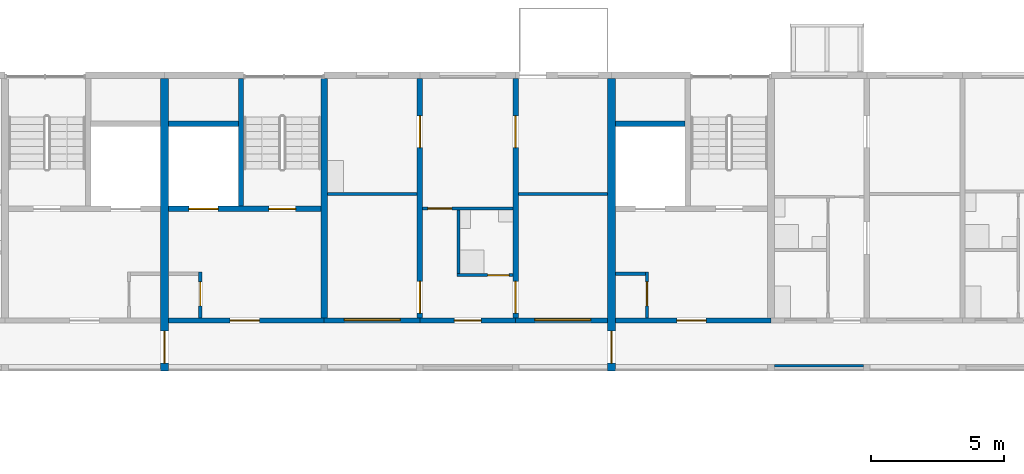
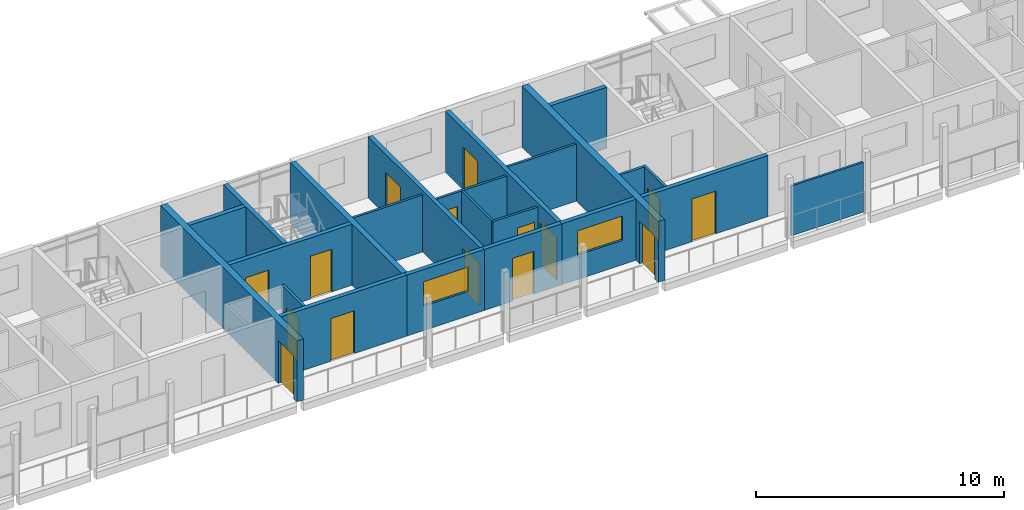
# One storey, part 36 of 98: 23 walls, 15 doors, 2 windows, 17 openings.
"""IFC4 building model written with IfcOpenShell, lengths in metres."""

import ifcopenshell
import ifcopenshell.guid

model = None  # the IFC model being written
_history = None  # IfcOwnerHistory: only IFC2X3 demands one
_inside = {}  # id of a spatial element -> (the spatial element, [elements in it])
_under = {}  # id of a project, library or spatial element -> (it, [spatial elements below it])
_declared = {}  # id of a project -> (the project, [libraries it declares])
_typed = {}  # id of a type object -> (the type object, [elements of that type])
_made_of = {}  # id of a material, layer set ... -> (it, [elements and type objects made of it])


def new_model(schema):
    """Start an empty IFC model of exactly this schema.

    Asked for "IFC4X3", IfcOpenShell would pick the latest addendum, in which some entities
    have other attributes; the version numbers below select the first issue.
    IFC2X3 requires an IfcOwnerHistory on every rooted entity: one is made here for all.
    """
    global model, _history
    if schema == "IFC4X3":
        model = ifcopenshell.file(schema_version=(4, 3, 0, 0))
    else:
        model = ifcopenshell.file(schema=schema)
    _inside.clear()
    _under.clear()
    _declared.clear()
    _typed.clear()
    _made_of.clear()
    _history = None
    if model.schema == "IFC2X3":
        org = make("IfcOrganization", Name="unknown")
        user = make(
            "IfcPersonAndOrganization",
            ThePerson=make("IfcPerson", FamilyName="unknown"),
            TheOrganization=org,
        )
        app = make(
            "IfcApplication",
            ApplicationDeveloper=org,
            Version="unknown",
            ApplicationFullName="unknown",
            ApplicationIdentifier="unknown",
        )
        _history = make(
            "IfcOwnerHistory",
            OwningUser=user,
            OwningApplication=app,
            ChangeAction="ADDED",
            CreationDate=0,
        )
    return model


def make(cls, **values):
    """One entity of the class cls with the attributes given. An attribute that is None is left unset."""
    return model.create_entity(
        cls, **{name: value for name, value in values.items() if value is not None}
    )


def rooted(cls, **values):
    """An entity with a GlobalId (a new one), such as an element, a storey or a relation."""
    return make(cls, GlobalId=ifcopenshell.guid.new(), OwnerHistory=_history, **values)


def si_unit(unit_type, name, prefix=None):
    """IfcSIUnit, for example si_unit("LENGTHUNIT", "METRE", prefix="MILLI")."""
    return make("IfcSIUnit", UnitType=unit_type, Prefix=prefix, Name=name)


def assignment(units):
    """IfcUnitAssignment: the units of a project."""
    return None if units is None else make("IfcUnitAssignment", Units=units)


def point(xyz):
    """IfcCartesianPoint."""
    return None if xyz is None else make("IfcCartesianPoint", Coordinates=xyz)


def direction(xyz):
    """IfcDirection."""
    return None if xyz is None else make("IfcDirection", DirectionRatios=xyz)


def frame(location, z_axis=None, x_axis=None):
    """IfcAxis2Placement3D, a coordinate frame: its origin and axes. An axis left out is left unset."""
    return make(
        "IfcAxis2Placement3D",
        Location=point(location),
        Axis=direction(z_axis),
        RefDirection=direction(x_axis),
    )


def frame_2d(location, x_axis=None):
    """IfcAxis2Placement2D, a coordinate frame in the plane: its origin and x axis."""
    return make(
        "IfcAxis2Placement2D", Location=point(location), RefDirection=direction(x_axis)
    )


def origin():
    """The frame at (0, 0, 0) with its axes left unset."""
    return frame((0.0, 0.0, 0.0))


def place(relative_to, where):
    """IfcLocalPlacement: puts the frame where relative to a parent placement (None: the world)."""
    return make(
        "IfcLocalPlacement", PlacementRelTo=relative_to, RelativePlacement=where
    )


def context(
    kind, dimensions, precision=None, world=None, true_north=None, identifier=None
):
    """IfcGeometricRepresentationContext, for example the 3D "Model" context."""
    return make(
        "IfcGeometricRepresentationContext",
        ContextIdentifier=identifier,
        ContextType=kind,
        CoordinateSpaceDimension=dimensions,
        Precision=precision,
        WorldCoordinateSystem=world,
        TrueNorth=true_north,
    )


def subcontext(parent, identifier, kind, view, scale=None):
    """IfcGeometricRepresentationSubContext, for example "Body" below "Model"."""
    return make(
        "IfcGeometricRepresentationSubContext",
        ContextIdentifier=identifier,
        ContextType=kind,
        ParentContext=parent,
        TargetScale=scale,
        TargetView=view,
    )


def project(units=None, contexts=None):
    """IfcProject with its units and contexts."""
    return rooted(
        "IfcProject",
        Name="project",
        RepresentationContexts=contexts,
        UnitsInContext=assignment(units),
    )


def spatial(cls, under=None, at=None, **own):
    """A site, building, storey or space (cls), placed at a placement, below another one or the project."""
    s = rooted(cls, ObjectPlacement=at, **own)
    if under is not None:
        _under.setdefault(under.id(), (under, []))[1].append(s)
    return s


def profile(cls, at=None, kind="AREA", **sizes):
    """A parametric profile (cls). Its sizes go by their IFC names, for example OverallWidth=200.0."""
    return make(cls, ProfileType=kind, Position=at, **sizes)


def rectangle(**sizes):
    """IfcRectangleProfileDef."""
    return profile("IfcRectangleProfileDef", **sizes)


def extrude(swept, where, along, depth):
    """IfcExtrudedAreaSolid: the profile swept, set in the frame where, extruded along a direction by depth."""
    return make(
        "IfcExtrudedAreaSolid",
        SweptArea=swept,
        Position=where,
        ExtrudedDirection=direction(along),
        Depth=depth,
    )


def shape(context_of_items, identifier, shape_type, items):
    """IfcShapeRepresentation: the items that make up one representation, for example the "Body"."""
    return make(
        "IfcShapeRepresentation",
        ContextOfItems=context_of_items,
        RepresentationIdentifier=identifier,
        RepresentationType=shape_type,
        Items=items,
    )


def material(Name=None, Category=None):
    """IfcMaterial."""
    return make("IfcMaterial", Name=Name, Category=Category)


def layer(
    of_material, thickness, ventilated=None, Name=None, Category=None, Priority=None
):
    """IfcMaterialLayer: one layer of a wall or slab, of a material (None: an air gap)."""
    return make(
        "IfcMaterialLayer",
        Material=of_material,
        LayerThickness=thickness,
        IsVentilated=ventilated,
        Name=Name,
        Category=Category,
        Priority=Priority,
    )


def layer_set(layers, Name=None):
    """IfcMaterialLayerSet."""
    return make("IfcMaterialLayerSet", MaterialLayers=layers, LayerSetName=Name)


def made_of(thing, what):
    """Note that an element or type object is made of a material, layer set ...; save() writes the relation."""
    if what is not None:
        _made_of.setdefault(what.id(), (what, []))[1].append(thing)
    return thing


def type_object(cls, material=None, **own):
    """A type object (cls), such as IfcWallType, which elements share."""
    return made_of(rooted(cls, **own), material)


def element(
    cls,
    number,
    at=None,
    inside=None,
    cuts=None,
    type_object=None,
    material=None,
    context=None,
    identifier="Body",
    shape_type=None,
    held_by="IfcProductDefinitionShape",
    body=None,
    shapes=None,
    **own,
):
    """One element of the class cls, such as IfcWall. Its Tag is "e" and its number.

    at: its placement. inside: the storey or other place that contains it. cuts: it is an
    opening in that element (IfcRelVoidsElement). A single representation is given by context,
    identifier, shape_type and body (its items); several are given by shapes. held_by: the class
    of the entity that holds the representations. save() writes the other relations.
    """
    e = rooted(cls, Tag="e%d" % number, ObjectPlacement=at, **own)
    if body is not None:
        shapes = [shape(context, identifier, shape_type, body)]
    if shapes is not None:
        e.Representation = make(held_by, Representations=shapes)
    if inside is not None:
        _inside.setdefault(inside.id(), (inside, []))[1].append(e)
    if cuts is not None:
        rooted(
            "IfcRelVoidsElement", RelatingBuildingElement=cuts, RelatedOpeningElement=e
        )
    if type_object is not None:
        _typed.setdefault(type_object.id(), (type_object, []))[1].append(e)
    return made_of(e, material)


def fill(opening, filler):
    """IfcRelFillsElement: the door or window that sits in an opening."""
    return rooted(
        "IfcRelFillsElement",
        RelatingOpeningElement=opening,
        RelatedBuildingElement=filler,
    )


def aggregate(whole, parts):
    """IfcRelAggregates: a whole, such as a stair, and the parts it consists of."""
    return rooted("IfcRelAggregates", RelatingObject=whole, RelatedObjects=parts)


def save(model, path):
    """Write the relations noted so far, then the file.

    IfcRelAggregates (storeys below a building ...), IfcRelContainedInSpatialStructure (elements
    in a storey), IfcRelDefinesByType, IfcRelAssociatesMaterial and IfcRelDeclares: one each for
    every whole, place, type object, material and project.
    """
    for whole, parts in _under.values():
        aggregate(whole, parts)
    for where, things in _inside.values():
        rooted(
            "IfcRelContainedInSpatialStructure",
            RelatedElements=things,
            RelatingStructure=where,
        )
    for kind, things in _typed.values():
        rooted("IfcRelDefinesByType", RelatedObjects=things, RelatingType=kind)
    for what, things in _made_of.values():
        rooted("IfcRelAssociatesMaterial", RelatedObjects=things, RelatingMaterial=what)
    for by, libraries in _declared.values():
        rooted("IfcRelDeclares", RelatingContext=by, RelatedDefinitions=libraries)
    model.write(path)


model = new_model("IFC4")

# Units and contexts
model_context = context("Model", 3, precision=1e-05, world=origin(), true_north=direction((0.0, 1.0)))
body_context = subcontext(model_context, "Body", "Model", "MODEL_VIEW")
ifc_project = project(units=[si_unit("LENGTHUNIT", "METRE"), si_unit("AREAUNIT", "SQUARE_METRE"), si_unit("VOLUMEUNIT", "CUBIC_METRE"), si_unit("PLANEANGLEUNIT", "RADIAN"), si_unit("MASSUNIT", "GRAM", prefix="KILO")], contexts=[model_context])

# Site, building, storey
site_placement = place(None, origin())
site = spatial("IfcSite", under=ifc_project, at=site_placement, CompositionType="ELEMENT")
building_placement = place(site_placement, origin())
building = spatial("IfcBuilding", under=site, at=building_placement, Name="Ridgestep Commons", CompositionType="ELEMENT")
storey_placement = place(building_placement, frame((0.0, 0.0, 12.0)))
storey = spatial("IfcBuildingStorey", under=building, at=storey_placement, Name="L04", CompositionType="ELEMENT", Elevation=12.0)

# Wall
ifc_material_1 = material(Name="Concrete C30/37", Category="concrete")
ifc_layer_1 = layer(ifc_material_1, 0.25)
ifc_layer_set_1 = layer_set([ifc_layer_1], Name="Core cross wall 250")
wall_type_1 = type_object("IfcWallType", Name="Core cross wall 250", PredefinedType="SHEAR", material=ifc_layer_set_1)
wall_1_placement = place(storey_placement, frame((34.800048828125, 68.0, 0.0), z_axis=(0.0, 0.0, 1.0), x_axis=(0.0, 1.0, 0.0)))
element("IfcWall", 1, at=wall_1_placement, inside=storey, type_object=wall_type_1, Name="Cross wall B-04-0348", PredefinedType="SHEAR", context=body_context, shape_type="SweptSolid", body=[
    extrude(rectangle(XDim=9.0, YDim=0.25, at=frame_2d((4.5, 0.0))), origin(), (0.0, 0.0, 1.0), 3.0),
])

# Wall, opening, door
ifc_material_2 = material(Name="Concrete C30/37", Category="concrete")
ifc_layer_2 = layer(ifc_material_2, 0.199951171875)
ifc_layer_set_2 = layer_set([ifc_layer_2], Name="Core south wall 200")
wall_type_2 = type_object("IfcWallType", Name="Core south wall 200", PredefinedType="SHEAR", material=ifc_layer_set_2)
wall_2_placement = place(storey_placement, frame((28.949951171875, 67.89990234375, 0.0), z_axis=(0.0, 0.0, 1.0), x_axis=(1.0, 0.0, 0.0)))
wall_2 = element("IfcWall", 2, at=wall_2_placement, inside=storey, type_object=wall_type_2, Name="Core south wall B2C L04", PredefinedType="SHEAR", context=body_context, shape_type="SweptSolid", body=[
    extrude(rectangle(XDim=5.85009765625, YDim=0.199951171875, at=frame_2d((2.925048828125, 0.0))), origin(), (0.0, 0.0, 1.0), 3.0),
])
opening_1_placement = place(wall_2_placement, frame((2.3125, 0.0, 0.0)))
opening_1 = element("IfcOpeningElement", 3, at=opening_1_placement, cuts=wall_2, Name="Opening B2C/04/1", PredefinedType="OPENING", context=body_context, shape_type="SweptSolid", body=[
    extrude(rectangle(XDim=1.10009765625, YDim=2.10009765625, at=frame_2d((0.550048828125, 1.050048828125))), frame((0.0, 0.10986328125, 0.0), z_axis=(0.0, -1.0, 0.0), x_axis=(1.0, 0.0, 0.0)), (0.0, 0.0, 1.0), 0.219970703125),
])
ifc_material_3 = material(Name="Steel fire door", Category="steel")
door_type_1 = type_object("IfcDoorType", Name="Lobby door 1100 x 2100 FD60", OperationType="NOTDEFINED", PredefinedType="DOOR", material=ifc_material_3)
door_1_placement = place(opening_1_placement, origin())
door_1 = element("IfcDoor", 4, at=door_1_placement, inside=storey, type_object=door_type_1, Name="Lobby door B2C/04/1", OperationType="SINGLE_SWING_LEFT", OverallHeight=2.10009765625, OverallWidth=1.10009765625, PredefinedType="DOOR", context=body_context, shape_type="SweptSolid", body=[
    extrude(rectangle(XDim=1.10009765625, YDim=2.10009765625, at=frame_2d((0.550048828125, 1.050048828125))), frame((0.0, 0.02490234375, 0.0), z_axis=(0.0, -1.0, 0.0), x_axis=(1.0, 0.0, 0.0)), (0.0, 0.0, 1.0), 0.050048828125),
])
fill(opening_1, door_1)

wall_3_placement = place(storey_placement, frame((45.75, 67.89990234375, 0.0), z_axis=(0.0, 0.0, 1.0), x_axis=(1.0, 0.0, 0.0)))
wall_3 = element("IfcWall", 5, at=wall_3_placement, inside=storey, type_object=wall_type_2, Name="Core south wall B3C L04", PredefinedType="SHEAR", context=body_context, shape_type="SweptSolid", body=[
    extrude(rectangle(XDim=5.85009765625, YDim=0.199951171875, at=frame_2d((2.925048828125, 0.0))), origin(), (0.0, 0.0, 1.0), 3.0),
])
opening_2_placement = place(wall_3_placement, frame((2.3125, 0.0, 0.0)))
opening_2 = element("IfcOpeningElement", 6, at=opening_2_placement, cuts=wall_3, Name="Opening B3C/04/1", PredefinedType="OPENING", context=body_context, shape_type="SweptSolid", body=[
    extrude(rectangle(XDim=1.10009765625, YDim=2.10009765625, at=frame_2d((0.550048828125, 1.050048828125))), frame((0.0, 0.10986328125, 0.0), z_axis=(0.0, -1.0, 0.0), x_axis=(1.0, 0.0, 0.0)), (0.0, 0.0, 1.0), 0.219970703125),
])
door_2_placement = place(opening_2_placement, origin())
door_2 = element("IfcDoor", 7, at=door_2_placement, inside=storey, type_object=door_type_1, Name="Lobby door B3C/04/1", OperationType="SINGLE_SWING_LEFT", OverallHeight=2.10009765625, OverallWidth=1.10009765625, PredefinedType="DOOR", context=body_context, shape_type="SweptSolid", body=[
    extrude(rectangle(XDim=1.10009765625, YDim=2.10009765625, at=frame_2d((0.550048828125, 1.050048828125))), frame((0.0, 0.02490234375, 0.0), z_axis=(0.0, -1.0, 0.0), x_axis=(1.0, 0.0, 0.0)), (0.0, 0.0, 1.0), 0.050048828125),
])
fill(opening_2, door_2)

ifc_material_4 = material(Name="Concrete C30/37", Category="concrete")
ifc_layer_3 = layer(ifc_material_4, 0.1201171875)
ifc_layer_set_3 = layer_set([ifc_layer_3], Name="Core wall 120")
wall_type_3 = type_object("IfcWallType", Name="Core wall 120", PredefinedType="SHEAR", material=ifc_layer_set_3)
wall_4_placement = place(storey_placement, frame((30.139892578125, 68.0, 0.0), z_axis=(0.0, 0.0, 1.0), x_axis=(0.0, 1.0, 0.0)))
wall_4 = element("IfcWall", 8, at=wall_4_placement, inside=storey, type_object=wall_type_3, Name="Core riser w wall B2C L04", PredefinedType="SHEAR", context=body_context, shape_type="SweptSolid", body=[
    extrude(rectangle(XDim=1.719970703125, YDim=0.1201171875, at=frame_2d((0.85986328125, 0.0))), origin(), (0.0, 0.0, 1.0), 3.0),
])
opening_3_placement = place(wall_4_placement, frame((0.449951171875, 0.0, 0.0)))
opening_3 = element("IfcOpeningElement", 9, at=opening_3_placement, cuts=wall_4, Name="Opening B2C/04/4", PredefinedType="OPENING", context=body_context, shape_type="SweptSolid", body=[
    extrude(rectangle(XDim=0.89990234375, YDim=2.10009765625, at=frame_2d((0.449951171875, 1.050048828125))), frame((0.0, 0.070068359375, 0.0), z_axis=(0.0, -1.0, 0.0), x_axis=(1.0, 0.0, 0.0)), (0.0, 0.0, 1.0), 0.14013671875),
])
ifc_material_5 = material(Name="Steel fire door", Category="steel")
door_type_2 = type_object("IfcDoorType", Name="Riser door 900 x 2100 FD60", OperationType="NOTDEFINED", PredefinedType="DOOR", material=ifc_material_5)
door_3_placement = place(opening_3_placement, origin())
door_3 = element("IfcDoor", 10, at=door_3_placement, inside=storey, type_object=door_type_2, Name="Riser door B2C/04/4", OperationType="SINGLE_SWING_RIGHT", OverallHeight=2.10009765625, OverallWidth=0.89990234375, PredefinedType="DOOR", context=body_context, shape_type="SweptSolid", body=[
    extrude(rectangle(XDim=0.89990234375, YDim=2.10009765625, at=frame_2d((0.449951171875, 1.050048828125))), frame((0.0, 0.02490234375, 0.0), z_axis=(0.0, -1.0, 0.0), x_axis=(1.0, 0.0, 0.0)), (0.0, 0.0, 1.0), 0.050048828125),
])
fill(opening_3, door_3)

wall_5_placement = place(storey_placement, frame((46.93994140625, 68.0, 0.0), z_axis=(0.0, 0.0, 1.0), x_axis=(0.0, 1.0, 0.0)))
wall_5 = element("IfcWall", 11, at=wall_5_placement, inside=storey, type_object=wall_type_3, Name="Core riser w wall B3C L04", PredefinedType="SHEAR", context=body_context, shape_type="SweptSolid", body=[
    extrude(rectangle(XDim=1.719970703125, YDim=0.1201171875, at=frame_2d((0.85986328125, 0.0))), origin(), (0.0, 0.0, 1.0), 3.0),
])
opening_4_placement = place(wall_5_placement, frame((0.449951171875, 0.0, 0.0)))
opening_4 = element("IfcOpeningElement", 12, at=opening_4_placement, cuts=wall_5, Name="Opening B3C/04/4", PredefinedType="OPENING", context=body_context, shape_type="SweptSolid", body=[
    extrude(rectangle(XDim=0.89990234375, YDim=2.10009765625, at=frame_2d((0.449951171875, 1.050048828125))), frame((0.0, 0.070068359375, 0.0), z_axis=(0.0, -1.0, 0.0), x_axis=(1.0, 0.0, 0.0)), (0.0, 0.0, 1.0), 0.14013671875),
])
door_4_placement = place(opening_4_placement, origin())
door_4 = element("IfcDoor", 13, at=door_4_placement, inside=storey, type_object=door_type_2, Name="Riser door B3C/04/4", OperationType="SINGLE_SWING_RIGHT", OverallHeight=2.10009765625, OverallWidth=0.89990234375, PredefinedType="DOOR", context=body_context, shape_type="SweptSolid", body=[
    extrude(rectangle(XDim=0.89990234375, YDim=2.10009765625, at=frame_2d((0.449951171875, 1.050048828125))), frame((0.0, 0.02490234375, 0.0), z_axis=(0.0, -1.0, 0.0), x_axis=(1.0, 0.0, 0.0)), (0.0, 0.0, 1.0), 0.050048828125),
])
fill(opening_4, door_4)

# Wall
wall_6_placement = place(storey_placement, frame((45.75, 69.659912109375, 0.0), z_axis=(0.0, 0.0, 1.0), x_axis=(1.0, 0.0, 0.0)))
element("IfcWall", 14, at=wall_6_placement, inside=storey, type_object=wall_type_3, Name="Core riser n wall B3C L04", PredefinedType="SHEAR", context=body_context, shape_type="SweptSolid", body=[
    extrude(rectangle(XDim=1.1298828125, YDim=0.1201171875, at=frame_2d((0.56494140625, 0.0))), origin(), (0.0, 0.0, 1.0), 3.0),
])

# Wall, openings, doors
ifc_material_6 = material(Name="Concrete C30/37", Category="concrete")
ifc_layer_4 = layer(ifc_material_6, 0.199951171875)
ifc_layer_set_4 = layer_set([ifc_layer_4], Name="Core wall 200")
wall_type_4 = type_object("IfcWallType", Name="Core wall 200", PredefinedType="SHEAR", material=ifc_layer_set_4)
wall_7_placement = place(storey_placement, frame((28.949951171875, 72.10009765625, 0.0), z_axis=(0.0, 0.0, 1.0), x_axis=(1.0, 0.0, 0.0)))
wall_7 = element("IfcWall", 15, at=wall_7_placement, inside=storey, type_object=wall_type_4, Name="Core lobby wall B2C L04", PredefinedType="SHEAR", context=body_context, shape_type="SweptSolid", body=[
    extrude(rectangle(XDim=5.72509765625, YDim=0.199951171875, at=frame_2d((2.862548828125, 0.0))), origin(), (0.0, 0.0, 1.0), 3.0),
])
opening_5_placement = place(wall_7_placement, frame((3.77490234375, 0.0, 0.0)))
opening_5 = element("IfcOpeningElement", 16, at=opening_5_placement, cuts=wall_7, Name="Opening B2C/04/2", PredefinedType="OPENING", context=body_context, shape_type="SweptSolid", body=[
    extrude(rectangle(XDim=1.0, YDim=2.10009765625, at=frame_2d((0.5, 1.050048828125))), frame((0.0, 0.10986328125, 0.0), z_axis=(0.0, -1.0, 0.0), x_axis=(1.0, 0.0, 0.0)), (0.0, 0.0, 1.0), 0.219970703125),
])
opening_6_placement = place(wall_7_placement, frame((0.762451171875, 0.0, 0.0)))
opening_6 = element("IfcOpeningElement", 17, at=opening_6_placement, cuts=wall_7, Name="Opening B2C/04/3", PredefinedType="OPENING", context=body_context, shape_type="SweptSolid", body=[
    extrude(rectangle(XDim=1.10009765625, YDim=2.10009765625, at=frame_2d((0.550048828125, 1.050048828125))), frame((0.0, 0.10986328125, 0.0), z_axis=(0.0, -1.0, 0.0), x_axis=(1.0, 0.0, 0.0)), (0.0, 0.0, 1.0), 0.219970703125),
])
ifc_material_7 = material(Name="Stainless steel", Category="steel")
door_type_3 = type_object("IfcDoorType", Name="Lift landing door 1100 x 2100 FD60", OperationType="DOUBLE_DOOR_SLIDING", PredefinedType="DOOR", material=ifc_material_7)
door_5_placement = place(opening_6_placement, origin())
door_5 = element("IfcDoor", 18, at=door_5_placement, inside=storey, type_object=door_type_3, Name="Landing door LD B2C L04", OperationType="DOUBLE_DOOR_SLIDING", OverallHeight=2.10009765625, OverallWidth=1.10009765625, PredefinedType="DOOR", context=body_context, shape_type="SweptSolid", body=[
    extrude(rectangle(XDim=1.10009765625, YDim=2.10009765625, at=frame_2d((0.550048828125, 1.050048828125))), frame((0.0, 0.02490234375, 0.0), z_axis=(0.0, -1.0, 0.0), x_axis=(1.0, 0.0, 0.0)), (0.0, 0.0, 1.0), 0.050048828125),
])
fill(opening_6, door_5)
ifc_material_8 = material(Name="Steel fire door", Category="steel")
door_type_4 = type_object("IfcDoorType", Name="Stair door 1000 x 2100 FD60", OperationType="NOTDEFINED", PredefinedType="DOOR", material=ifc_material_8)
door_6_placement = place(opening_5_placement, origin())
door_6 = element("IfcDoor", 19, at=door_6_placement, inside=storey, type_object=door_type_4, Name="Stair door B2C/04/2", OperationType="SINGLE_SWING_RIGHT", OverallHeight=2.10009765625, OverallWidth=1.0, PredefinedType="DOOR", context=body_context, shape_type="SweptSolid", body=[
    extrude(rectangle(XDim=1.0, YDim=2.10009765625, at=frame_2d((0.5, 1.050048828125))), frame((0.0, 0.02490234375, 0.0), z_axis=(0.0, -1.0, 0.0), x_axis=(1.0, 0.0, 0.0)), (0.0, 0.0, 1.0), 0.050048828125),
])
fill(opening_5, door_6)

# Walls
wall_8_placement = place(storey_placement, frame((31.675048828125, 72.199951171875, 0.0), z_axis=(0.0, 0.0, 1.0), x_axis=(0.0, 1.0, 0.0)))
element("IfcWall", 20, at=wall_8_placement, inside=storey, type_object=wall_type_4, Name="Core stair wall B2C L04", PredefinedType="SHEAR", context=body_context, shape_type="SweptSolid", body=[
    extrude(rectangle(XDim=4.800048828125, YDim=0.199951171875, at=frame_2d((2.39990234375, 0.0))), origin(), (0.0, 0.0, 1.0), 3.0),
])
for number, where, z_axis, x_axis, name in (
    (21, (28.949951171875, 75.300048828125, 0.0), (0.0, 0.0, 1.0), (1.0, 0.0, 0.0), "Core duct wall B2C L04"),
    (22, (45.75, 75.300048828125, 0.0), (0.0, 0.0, 1.0), (1.0, 0.0, 0.0), "Core duct wall B3C L04"),
):
    element("IfcWall", number, at=place(storey_placement, frame(where, z_axis=z_axis, x_axis=x_axis)), inside=storey, type_object=wall_type_4, Name=name, PredefinedType="SHEAR", context=body_context, shape_type="SweptSolid", body=[
        extrude(rectangle(XDim=2.625, YDim=0.199951171875, at=frame_2d((1.3125, 0.0))), origin(), (0.0, 0.0, 1.0), 3.0),
    ])

# Wall, openings, doors
ifc_material_9 = material(Name="Precast concrete C40/50", Category="concrete")
ifc_layer_5 = layer(ifc_material_9, 0.199951171875)
ifc_layer_set_5 = layer_set([ifc_layer_5], Name="Cross wall 200")
wall_type_5 = type_object("IfcWallType", Name="Cross wall 200", PredefinedType="SHEAR", material=ifc_layer_set_5)
wall_9_placement = place(storey_placement, frame((38.39990234375, 68.0, 0.0), z_axis=(0.0, 0.0, 1.0), x_axis=(0.0, 1.0, 0.0)))
wall_9 = element("IfcWall", 23, at=wall_9_placement, inside=storey, type_object=wall_type_5, Name="Cross wall B-04-0384", PredefinedType="SHEAR", context=body_context, shape_type="SweptSolid", body=[
    extrude(rectangle(XDim=9.0, YDim=0.199951171875, at=frame_2d((4.5, 0.0))), origin(), (0.0, 0.0, 1.0), 3.0),
])
opening_7_placement = place(wall_9_placement, frame((0.175048828125, 0.0, 0.0)))
opening_7 = element("IfcOpeningElement", 24, at=opening_7_placement, cuts=wall_9, Name="Opening B2-04a/4", PredefinedType="OPENING", context=body_context, shape_type="SweptSolid", body=[
    extrude(rectangle(XDim=1.199951171875, YDim=2.10009765625, at=frame_2d((0.60009765625, 1.050048828125))), frame((0.0, 0.10986328125, 0.0), z_axis=(0.0, -1.0, 0.0), x_axis=(1.0, 0.0, 0.0)), (0.0, 0.0, 1.0), 0.219970703125),
])
opening_8_placement = place(wall_9_placement, frame((6.39990234375, 0.0, 0.0)))
opening_8 = element("IfcOpeningElement", 25, at=opening_8_placement, cuts=wall_9, Name="Opening B2-04a/5", PredefinedType="OPENING", context=body_context, shape_type="SweptSolid", body=[
    extrude(rectangle(XDim=1.199951171875, YDim=2.10009765625, at=frame_2d((0.60009765625, 1.050048828125))), frame((0.0, 0.10986328125, 0.0), z_axis=(0.0, -1.0, 0.0), x_axis=(1.0, 0.0, 0.0)), (0.0, 0.0, 1.0), 0.219970703125),
])
ifc_material_10 = material(Name="Timber door leaf", Category="wood")
door_type_5 = type_object("IfcDoorType", Name="Double door 1200 x 2100", OperationType="DOUBLE_DOOR_SINGLE_SWING", PredefinedType="DOOR", material=ifc_material_10)
door_7_placement = place(opening_7_placement, origin())
door_7 = element("IfcDoor", 26, at=door_7_placement, inside=storey, type_object=door_type_5, Name="Double door B2-04a/4", OperationType="DOUBLE_DOOR_SINGLE_SWING", OverallHeight=2.10009765625, OverallWidth=1.199951171875, PredefinedType="DOOR", context=body_context, shape_type="SweptSolid", body=[
    extrude(rectangle(XDim=1.199951171875, YDim=2.10009765625, at=frame_2d((0.60009765625, 1.050048828125))), frame((0.0, 0.02490234375, 0.0), z_axis=(0.0, -1.0, 0.0), x_axis=(1.0, 0.0, 0.0)), (0.0, 0.0, 1.0), 0.050048828125),
])
fill(opening_7, door_7)
door_8_placement = place(opening_8_placement, origin())
door_8 = element("IfcDoor", 27, at=door_8_placement, inside=storey, type_object=door_type_5, Name="Double door B2-04a/5", OperationType="DOUBLE_DOOR_SINGLE_SWING", OverallHeight=2.10009765625, OverallWidth=1.199951171875, PredefinedType="DOOR", context=body_context, shape_type="SweptSolid", body=[
    extrude(rectangle(XDim=1.199951171875, YDim=2.10009765625, at=frame_2d((0.60009765625, 1.050048828125))), frame((0.0, 0.02490234375, 0.0), z_axis=(0.0, -1.0, 0.0), x_axis=(1.0, 0.0, 0.0)), (0.0, 0.0, 1.0), 0.050048828125),
])
fill(opening_8, door_8)

wall_10_placement = place(storey_placement, frame((42.0, 68.0, 0.0), z_axis=(0.0, 0.0, 1.0), x_axis=(0.0, 1.0, 0.0)))
wall_10 = element("IfcWall", 28, at=wall_10_placement, inside=storey, type_object=wall_type_5, Name="Cross wall B-04-0420", PredefinedType="SHEAR", context=body_context, shape_type="SweptSolid", body=[
    extrude(rectangle(XDim=9.0, YDim=0.199951171875, at=frame_2d((4.5, 0.0))), origin(), (0.0, 0.0, 1.0), 3.0),
])
opening_9_placement = place(wall_10_placement, frame((0.175048828125, 0.0, 0.0)))
opening_9 = element("IfcOpeningElement", 29, at=opening_9_placement, cuts=wall_10, Name="Opening B2-04a/6", PredefinedType="OPENING", context=body_context, shape_type="SweptSolid", body=[
    extrude(rectangle(XDim=1.199951171875, YDim=2.10009765625, at=frame_2d((0.60009765625, 1.050048828125))), frame((0.0, 0.10986328125, 0.0), z_axis=(0.0, -1.0, 0.0), x_axis=(1.0, 0.0, 0.0)), (0.0, 0.0, 1.0), 0.219970703125),
])
opening_10_placement = place(wall_10_placement, frame((6.39990234375, 0.0, 0.0)))
opening_10 = element("IfcOpeningElement", 30, at=opening_10_placement, cuts=wall_10, Name="Opening B2-04a/7", PredefinedType="OPENING", context=body_context, shape_type="SweptSolid", body=[
    extrude(rectangle(XDim=1.199951171875, YDim=2.10009765625, at=frame_2d((0.60009765625, 1.050048828125))), frame((0.0, 0.10986328125, 0.0), z_axis=(0.0, -1.0, 0.0), x_axis=(1.0, 0.0, 0.0)), (0.0, 0.0, 1.0), 0.219970703125),
])
door_9_placement = place(opening_9_placement, origin())
door_9 = element("IfcDoor", 31, at=door_9_placement, inside=storey, type_object=door_type_5, Name="Double door B2-04a/6", OperationType="DOUBLE_DOOR_SINGLE_SWING", OverallHeight=2.10009765625, OverallWidth=1.199951171875, PredefinedType="DOOR", context=body_context, shape_type="SweptSolid", body=[
    extrude(rectangle(XDim=1.199951171875, YDim=2.10009765625, at=frame_2d((0.60009765625, 1.050048828125))), frame((0.0, 0.02490234375, 0.0), z_axis=(0.0, -1.0, 0.0), x_axis=(1.0, 0.0, 0.0)), (0.0, 0.0, 1.0), 0.050048828125),
])
fill(opening_9, door_9)
door_10_placement = place(opening_10_placement, origin())
door_10 = element("IfcDoor", 32, at=door_10_placement, inside=storey, type_object=door_type_5, Name="Double door B2-04a/7", OperationType="DOUBLE_DOOR_SINGLE_SWING", OverallHeight=2.10009765625, OverallWidth=1.199951171875, PredefinedType="DOOR", context=body_context, shape_type="SweptSolid", body=[
    extrude(rectangle(XDim=1.199951171875, YDim=2.10009765625, at=frame_2d((0.60009765625, 1.050048828125))), frame((0.0, 0.02490234375, 0.0), z_axis=(0.0, -1.0, 0.0), x_axis=(1.0, 0.0, 0.0)), (0.0, 0.0, 1.0), 0.050048828125),
])
fill(opening_10, door_10)

# Wall, opening, door
ifc_material_11 = material(Name="Precast concrete C40/50", Category="concrete")
ifc_layer_6 = layer(ifc_material_11, 0.300048828125)
ifc_layer_set_6 = layer_set([ifc_layer_6], Name="Division wall 300")
wall_type_6 = type_object("IfcWallType", Name="Division wall 300", PredefinedType="SHEAR", material=ifc_layer_set_6)
wall_11_placement = place(storey_placement, frame((28.800048828125, 66.0, 0.0), z_axis=(0.0, 0.0, 1.0), x_axis=(0.0, 1.0, 0.0)))
wall_11 = element("IfcWall", 33, at=wall_11_placement, inside=storey, type_object=wall_type_6, Name="Cross wall B-04-0288", PredefinedType="SHEAR", context=body_context, shape_type="SweptSolid", body=[
    extrude(rectangle(XDim=11.0, YDim=0.300048828125, at=frame_2d((5.5, 0.0))), origin(), (0.0, 0.0, 1.0), 3.0),
])
opening_11_placement = place(wall_11_placement, frame((0.300048828125, 0.0, 0.0)))
opening_11 = element("IfcOpeningElement", 34, at=opening_11_placement, cuts=wall_11, Name="Opening B/04/G0288", PredefinedType="OPENING", context=body_context, shape_type="SweptSolid", body=[
    extrude(rectangle(XDim=1.199951171875, YDim=2.10009765625, at=frame_2d((0.60009765625, 1.050048828125))), frame((0.0, 0.159912109375, 0.0), z_axis=(0.0, -1.0, 0.0), x_axis=(1.0, 0.0, 0.0)), (0.0, 0.0, 1.0), 0.320068359375),
])
ifc_material_12 = material(Name="Steel fire door", Category="steel")
door_type_6 = type_object("IfcDoorType", Name="Division fire door 1200 x 2100 EI 240", OperationType="DOUBLE_DOOR_SINGLE_SWING", PredefinedType="DOOR", material=ifc_material_12)
door_11_placement = place(opening_11_placement, origin())
door_11 = element("IfcDoor", 35, at=door_11_placement, inside=storey, type_object=door_type_6, Name="Division fire door B/04/G0288", OperationType="DOUBLE_DOOR_SINGLE_SWING", OverallHeight=2.10009765625, OverallWidth=1.199951171875, PredefinedType="DOOR", context=body_context, shape_type="SweptSolid", body=[
    extrude(rectangle(XDim=1.199951171875, YDim=2.10009765625, at=frame_2d((0.60009765625, 1.050048828125))), frame((0.0, 0.02490234375, 0.0), z_axis=(0.0, -1.0, 0.0), x_axis=(1.0, 0.0, 0.0)), (0.0, 0.0, 1.0), 0.050048828125),
])
fill(opening_11, door_11)

wall_12_placement = place(storey_placement, frame((45.60009765625, 66.0, 0.0), z_axis=(0.0, 0.0, 1.0), x_axis=(0.0, 1.0, 0.0)))
wall_12 = element("IfcWall", 36, at=wall_12_placement, inside=storey, type_object=wall_type_6, Name="Cross wall B-04-0456", PredefinedType="SHEAR", context=body_context, shape_type="SweptSolid", body=[
    extrude(rectangle(XDim=11.0, YDim=0.300048828125, at=frame_2d((5.5, 0.0))), origin(), (0.0, 0.0, 1.0), 3.0),
])
opening_12_placement = place(wall_12_placement, frame((0.300048828125, 0.0, 0.0)))
opening_12 = element("IfcOpeningElement", 37, at=opening_12_placement, cuts=wall_12, Name="Opening B/04/G0456", PredefinedType="OPENING", context=body_context, shape_type="SweptSolid", body=[
    extrude(rectangle(XDim=1.199951171875, YDim=2.10009765625, at=frame_2d((0.60009765625, 1.050048828125))), frame((0.0, 0.159912109375, 0.0), z_axis=(0.0, -1.0, 0.0), x_axis=(1.0, 0.0, 0.0)), (0.0, 0.0, 1.0), 0.320068359375),
])
door_12_placement = place(opening_12_placement, origin())
door_12 = element("IfcDoor", 38, at=door_12_placement, inside=storey, type_object=door_type_6, Name="Division fire door B/04/G0456", OperationType="DOUBLE_DOOR_SINGLE_SWING", OverallHeight=2.10009765625, OverallWidth=1.199951171875, PredefinedType="DOOR", context=body_context, shape_type="SweptSolid", body=[
    extrude(rectangle(XDim=1.199951171875, YDim=2.10009765625, at=frame_2d((0.60009765625, 1.050048828125))), frame((0.0, 0.02490234375, 0.0), z_axis=(0.0, -1.0, 0.0), x_axis=(1.0, 0.0, 0.0)), (0.0, 0.0, 1.0), 0.050048828125),
])
fill(opening_12, door_12)

ifc_material_13 = material(Name="Common brick 110 mm", Category="masonry")
ifc_layer_7 = layer(ifc_material_13, 0.110107421875)
ifc_layer_set_7 = layer_set([ifc_layer_7], Name="Partition 110")
wall_type_7 = type_object("IfcWallType", Name="Partition 110", PredefinedType="PARTITIONING", material=ifc_layer_set_7)
wall_13_placement = place(storey_placement, frame((39.800048828125, 69.60498046875, 0.0), z_axis=(0.0, 0.0, 1.0), x_axis=(1.0, 0.0, 0.0)))
wall_13 = element("IfcWall", 39, at=wall_13_placement, inside=storey, type_object=wall_type_7, Name="Partition B2-04a", PredefinedType="PARTITIONING", context=body_context, shape_type="SweptSolid", body=[
    extrude(rectangle(XDim=2.099853515625, YDim=0.110107421875, at=frame_2d((1.0498046875, 0.0))), origin(), (0.0, 0.0, 1.0), 2.800048828125),
])
opening_13_placement = place(wall_13_placement, frame((1.14990234375, 0.0, 0.0)))
opening_13 = element("IfcOpeningElement", 40, at=opening_13_placement, cuts=wall_13, Name="Opening B2-04a/2", PredefinedType="OPENING", context=body_context, shape_type="SweptSolid", body=[
    extrude(rectangle(XDim=0.800048828125, YDim=2.10009765625, at=frame_2d((0.39990234375, 1.050048828125))), frame((0.0, 0.06494140625, 0.0), z_axis=(0.0, -1.0, 0.0), x_axis=(1.0, 0.0, 0.0)), (0.0, 0.0, 1.0), 0.130126953125),
])
ifc_material_14 = material(Name="Timber door leaf", Category="wood")
door_type_7 = type_object("IfcDoorType", Name="Internal door 800 x 2100", OperationType="NOTDEFINED", PredefinedType="DOOR", material=ifc_material_14)
door_13_placement = place(opening_13_placement, origin())
door_13 = element("IfcDoor", 41, at=door_13_placement, inside=storey, type_object=door_type_7, Name="Internal door B2-04a/2", OperationType="SINGLE_SWING_RIGHT", OverallHeight=2.10009765625, OverallWidth=0.800048828125, PredefinedType="DOOR", context=body_context, shape_type="SweptSolid", body=[
    extrude(rectangle(XDim=0.800048828125, YDim=2.10009765625, at=frame_2d((0.39990234375, 1.050048828125))), frame((0.0, 0.02490234375, 0.0), z_axis=(0.0, -1.0, 0.0), x_axis=(1.0, 0.0, 0.0)), (0.0, 0.0, 1.0), 0.050048828125),
])
fill(opening_13, door_13)

# Wall
wall_14_placement = place(storey_placement, frame((39.85498046875, 69.659912109375, 0.0), z_axis=(0.0, 0.0, 1.0), x_axis=(0.0, 1.0, 0.0)))
element("IfcWall", 42, at=wall_14_placement, inside=storey, type_object=wall_type_7, Name="Partition B2-04a", PredefinedType="PARTITIONING", context=body_context, shape_type="SweptSolid", body=[
    extrude(rectangle(XDim=2.400146484375, YDim=0.110107421875, at=frame_2d((1.2001953125, 0.0))), origin(), (0.0, 0.0, 1.0), 2.800048828125),
])

# Wall, opening, door
wall_15_placement = place(storey_placement, frame((38.5, 72.114990234375, 0.0), z_axis=(0.0, 0.0, 1.0), x_axis=(1.0, 0.0, 0.0)))
wall_15 = element("IfcWall", 43, at=wall_15_placement, inside=storey, type_object=wall_type_7, Name="Partition B2-04a", PredefinedType="PARTITIONING", context=body_context, shape_type="SweptSolid", body=[
    extrude(rectangle(XDim=3.39990234375, YDim=0.110107421875, at=frame_2d((1.699951171875, 0.0))), origin(), (0.0, 0.0, 1.0), 2.800048828125),
])
opening_14_placement = place(wall_15_placement, frame((0.199951171875, 0.0, 0.0)))
opening_14 = element("IfcOpeningElement", 44, at=opening_14_placement, cuts=wall_15, Name="Opening B2-04a/3", PredefinedType="OPENING", context=body_context, shape_type="SweptSolid", body=[
    extrude(rectangle(XDim=0.89990234375, YDim=2.10009765625, at=frame_2d((0.449951171875, 1.050048828125))), frame((0.0, 0.06494140625, 0.0), z_axis=(0.0, -1.0, 0.0), x_axis=(1.0, 0.0, 0.0)), (0.0, 0.0, 1.0), 0.130126953125),
])
ifc_material_15 = material(Name="Timber door leaf", Category="wood")
door_type_8 = type_object("IfcDoorType", Name="Internal door 900 x 2100", OperationType="NOTDEFINED", PredefinedType="DOOR", material=ifc_material_15)
door_14_placement = place(opening_14_placement, origin())
door_14 = element("IfcDoor", 45, at=door_14_placement, inside=storey, type_object=door_type_8, Name="Internal door B2-04a/3", OperationType="SINGLE_SWING_LEFT", OverallHeight=2.10009765625, OverallWidth=0.89990234375, PredefinedType="DOOR", context=body_context, shape_type="SweptSolid", body=[
    extrude(rectangle(XDim=0.89990234375, YDim=2.10009765625, at=frame_2d((0.449951171875, 1.050048828125))), frame((0.0, 0.02490234375, 0.0), z_axis=(0.0, -1.0, 0.0), x_axis=(1.0, 0.0, 0.0)), (0.0, 0.0, 1.0), 0.050048828125),
])
fill(opening_14, door_14)

# Walls
wall_16_placement = place(storey_placement, frame((34.925048828125, 72.655029296875, 0.0), z_axis=(0.0, 0.0, 1.0), x_axis=(1.0, 0.0, 0.0)))
element("IfcWall", 46, at=wall_16_placement, inside=storey, type_object=wall_type_7, Name="Partition B2-04a", PredefinedType="PARTITIONING", context=body_context, shape_type="SweptSolid", body=[
    extrude(rectangle(XDim=3.375, YDim=0.110107421875, at=frame_2d((1.6875, 0.0))), origin(), (0.0, 0.0, 1.0), 2.800048828125),
])
wall_17_placement = place(storey_placement, frame((42.10009765625, 72.655029296875, 0.0), z_axis=(0.0, 0.0, 1.0), x_axis=(1.0, 0.0, 0.0)))
element("IfcWall", 47, at=wall_17_placement, inside=storey, type_object=wall_type_7, Name="Partition B2-04a", PredefinedType="PARTITIONING", context=body_context, shape_type="SweptSolid", body=[
    extrude(rectangle(XDim=3.349853515625, YDim=0.110107421875, at=frame_2d((1.6748046875, 0.0))), origin(), (0.0, 0.0, 1.0), 2.800048828125),
])
ifc_material_16 = material(Name="Precast concrete C30/37", Category="concrete")
ifc_layer_8 = layer(ifc_material_16, 0.10009765625)
ifc_layer_set_8 = layer_set([ifc_layer_8], Name="Perforated gallery screen 3350 x 2450 x 100")
wall_type_8 = type_object("IfcWallType", Name="Perforated gallery screen 3350 x 2450 x 100", PredefinedType="SOLIDWALL", material=ifc_layer_set_8)
wall_18_placement = place(storey_placement, frame((51.72509765625, 66.199951171875, 0.0), z_axis=(0.0, 0.0, 1.0), x_axis=(1.0, 0.0, 0.0)))
element("IfcWall", 48, at=wall_18_placement, inside=storey, type_object=wall_type_8, Name="Gallery screen B3T3 04", PredefinedType="SOLIDWALL", context=body_context, shape_type="SweptSolid", body=[
    extrude(rectangle(XDim=3.349853515625, YDim=0.10009765625, at=frame_2d((1.6748046875, 0.0))), origin(), (0.0, 0.0, 1.0), 2.449951171875),
])

# Wall, opening, window
ifc_material_17 = material(Name="Precast concrete C40/50", Category="concrete")
ifc_layer_9 = layer(ifc_material_17, 0.199951171875)
ifc_layer_set_9 = layer_set([ifc_layer_9], Name="South facade panel 200")
wall_type_9 = type_object("IfcWallType", Name="South facade panel 200", PredefinedType="SOLIDWALL", material=ifc_layer_set_9)
wall_19_placement = place(storey_placement, frame((34.800048828125, 67.89990234375, 0.0), z_axis=(0.0, 0.0, 1.0), x_axis=(1.0, 0.0, 0.0)))
wall_19 = element("IfcWall", 49, at=wall_19_placement, inside=storey, type_object=wall_type_9, Name="South panel B2T3 L04", PredefinedType="SOLIDWALL", context=body_context, shape_type="SweptSolid", body=[
    extrude(rectangle(XDim=3.599853515625, YDim=0.199951171875, at=frame_2d((1.7998046875, 0.0))), origin(), (0.0, 0.0, 1.0), 3.0),
])
opening_15_placement = place(wall_19_placement, frame((0.762451171875, 0.0, 1.199951171875)))
opening_15 = element("IfcOpeningElement", 50, at=opening_15_placement, cuts=wall_19, Name="Opening W22", PredefinedType="OPENING", context=body_context, shape_type="SweptSolid", body=[
    extrude(rectangle(XDim=2.10009765625, YDim=1.199951171875, at=frame_2d((1.050048828125, 0.60009765625))), frame((0.0, 0.10986328125, 0.0), z_axis=(0.0, -1.0, 0.0), x_axis=(1.0, 0.0, 0.0)), (0.0, 0.0, 1.0), 0.219970703125),
])
ifc_material_18 = material(Name="Aluminium 6063-T6 and glass", Category="aluminium")
window_type = type_object("IfcWindowType", Name="Flat window 2100 x 1200", PartitioningType="DOUBLE_PANEL_VERTICAL", PredefinedType="WINDOW", material=ifc_material_18)
window_1_placement = place(opening_15_placement, origin())
window_1 = element("IfcWindow", 51, at=window_1_placement, inside=storey, type_object=window_type, Name="Window B2-04a 1", OverallHeight=1.199951171875, OverallWidth=2.10009765625, PartitioningType="SINGLE_PANEL", PredefinedType="WINDOW", context=body_context, shape_type="SweptSolid", body=[
    extrude(rectangle(XDim=2.10009765625, YDim=1.199951171875, at=frame_2d((1.050048828125, 0.60009765625))), frame((0.0, 0.06005859375, 0.0), z_axis=(0.0, -1.0, 0.0), x_axis=(1.0, 0.0, 0.0)), (0.0, 0.0, 1.0), 0.06005859375),
])
fill(opening_15, window_1)

# Wall, opening, door
wall_20_placement = place(storey_placement, frame((38.39990234375, 67.89990234375, 0.0), z_axis=(0.0, 0.0, 1.0), x_axis=(1.0, 0.0, 0.0)))
wall_20 = element("IfcWall", 52, at=wall_20_placement, inside=storey, type_object=wall_type_9, Name="South panel B2T2 L04", PredefinedType="SOLIDWALL", context=body_context, shape_type="SweptSolid", body=[
    extrude(rectangle(XDim=3.60009765625, YDim=0.199951171875, at=frame_2d((1.800048828125, 0.0))), origin(), (0.0, 0.0, 1.0), 3.0),
])
opening_16_placement = place(wall_20_placement, frame((1.300048828125, 0.0, 0.0)))
opening_16 = element("IfcOpeningElement", 53, at=opening_16_placement, cuts=wall_20, Name="Opening B2-04a/1", PredefinedType="OPENING", context=body_context, shape_type="SweptSolid", body=[
    extrude(rectangle(XDim=1.0, YDim=2.10009765625, at=frame_2d((0.5, 1.050048828125))), frame((0.0, 0.10986328125, 0.0), z_axis=(0.0, -1.0, 0.0), x_axis=(1.0, 0.0, 0.0)), (0.0, 0.0, 1.0), 0.219970703125),
])
ifc_material_19 = material(Name="Timber door leaf", Category="wood")
door_type_9 = type_object("IfcDoorType", Name="Flat entrance door 1000 x 2100 FD30S", OperationType="NOTDEFINED", PredefinedType="DOOR", material=ifc_material_19)
door_15_placement = place(opening_16_placement, origin())
door_15 = element("IfcDoor", 54, at=door_15_placement, inside=storey, type_object=door_type_9, Name="Flat entrance door B2-04a/1", OperationType="SINGLE_SWING_LEFT", OverallHeight=2.10009765625, OverallWidth=1.0, PredefinedType="DOOR", context=body_context, shape_type="SweptSolid", body=[
    extrude(rectangle(XDim=1.0, YDim=2.10009765625, at=frame_2d((0.5, 1.050048828125))), frame((0.0, 0.02490234375, 0.0), z_axis=(0.0, -1.0, 0.0), x_axis=(1.0, 0.0, 0.0)), (0.0, 0.0, 1.0), 0.050048828125),
])
fill(opening_16, door_15)

# Wall, opening, window
wall_21_placement = place(storey_placement, frame((42.0, 67.89990234375, 0.0), z_axis=(0.0, 0.0, 1.0), x_axis=(1.0, 0.0, 0.0)))
wall_21 = element("IfcWall", 55, at=wall_21_placement, inside=storey, type_object=wall_type_9, Name="South panel B2T1 L04", PredefinedType="SOLIDWALL", context=body_context, shape_type="SweptSolid", body=[
    extrude(rectangle(XDim=3.449951171875, YDim=0.199951171875, at=frame_2d((1.72509765625, 0.0))), origin(), (0.0, 0.0, 1.0), 3.0),
])
opening_17_placement = place(wall_21_placement, frame((0.72509765625, 0.0, 1.199951171875)))
opening_17 = element("IfcOpeningElement", 56, at=opening_17_placement, cuts=wall_21, Name="Opening W22", PredefinedType="OPENING", context=body_context, shape_type="SweptSolid", body=[
    extrude(rectangle(XDim=2.10009765625, YDim=1.199951171875, at=frame_2d((1.050048828125, 0.60009765625))), frame((0.0, 0.10986328125, 0.0), z_axis=(0.0, -1.0, 0.0), x_axis=(1.0, 0.0, 0.0)), (0.0, 0.0, 1.0), 0.219970703125),
])
window_2_placement = place(opening_17_placement, origin())
window_2 = element("IfcWindow", 57, at=window_2_placement, inside=storey, type_object=window_type, Name="Window B2-04a 3", OverallHeight=1.199951171875, OverallWidth=2.10009765625, PartitioningType="SINGLE_PANEL", PredefinedType="WINDOW", context=body_context, shape_type="SweptSolid", body=[
    extrude(rectangle(XDim=2.10009765625, YDim=1.199951171875, at=frame_2d((1.050048828125, 0.60009765625))), frame((0.0, 0.06005859375, 0.0), z_axis=(0.0, -1.0, 0.0), x_axis=(1.0, 0.0, 0.0)), (0.0, 0.0, 1.0), 0.06005859375),
])
fill(opening_17, window_2)

save(model, "model.ifc")
